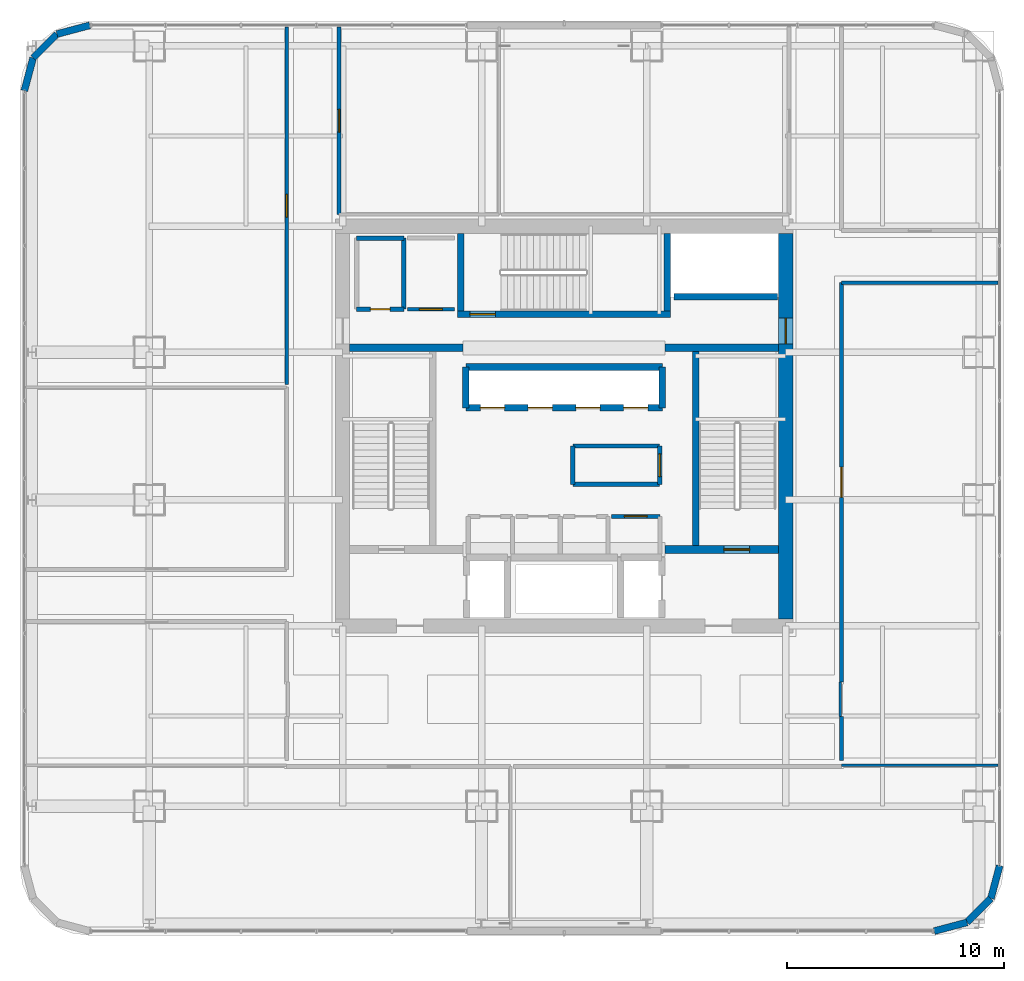
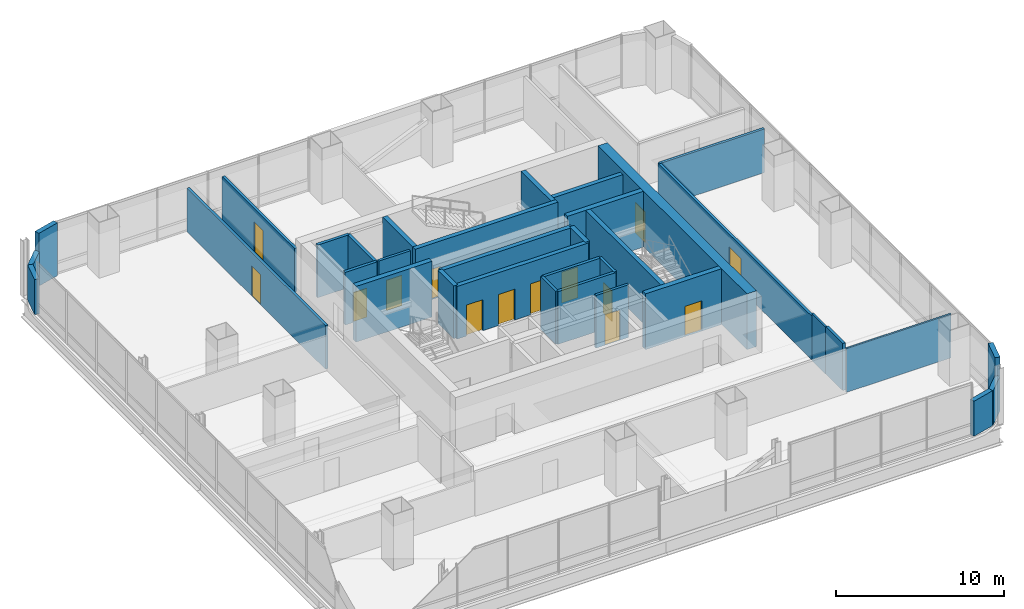
# One storey, part 29 of 38: 35 walls, 14 doors, 14 openings.
"""IFC4 building model written with IfcOpenShell, lengths in metres."""

from ifc_helpers import new_model, si_unit, direction, frame, frame_2d, origin, place, context, subcontext, project, spatial, rectangle, extrude, material, layer, layer_set, type_object, element, fill, save


model = new_model("IFC4")

# Units and contexts
model_context = context("Model", 3, precision=1e-05, world=origin(), true_north=direction((0.0, 1.0)))
body_context = subcontext(model_context, "Body", "Model", "MODEL_VIEW")
ifc_project = project(units=[si_unit("LENGTHUNIT", "METRE"), si_unit("AREAUNIT", "SQUARE_METRE"), si_unit("VOLUMEUNIT", "CUBIC_METRE"), si_unit("PLANEANGLEUNIT", "RADIAN"), si_unit("MASSUNIT", "GRAM", prefix="KILO")], contexts=[model_context])

# Site, building, storey
site_placement = place(None, origin())
site = spatial("IfcSite", under=ifc_project, at=site_placement, CompositionType="ELEMENT")
building_placement = place(site_placement, origin())
building = spatial("IfcBuilding", under=site, at=building_placement, Name="Punatoya Terracotta Tower", CompositionType="ELEMENT")
storey_placement = place(building_placement, frame((0.0, 0.0, 188.39990234375)))
storey = spatial("IfcBuildingStorey", under=building, at=storey_placement, Name="L44", CompositionType="ELEMENT", Elevation=188.39990234375)

# Wall, opening, door
ifc_material_1 = material(Name="Concrete C60/75", Category="concrete")
ifc_layer_1 = layer(ifc_material_1, 0.64990234375)
ifc_layer_set_1 = layer_set([ifc_layer_1], Name="Concrete C60/75")
wall_type_1 = type_object("IfcWallType", Name="WL-COR-650", PredefinedType="SHEAR", material=ifc_layer_set_1)
wall_1_placement = place(storey_placement, frame((10.199951171875, 8.875, 0.0), z_axis=(0.0, 0.0, 1.0), x_axis=(0.0, -1.0, 0.0)))
wall_1 = element("IfcWall", 1, at=wall_1_placement, inside=storey, type_object=wall_type_1, Name="L44 Core Shear Wall E", PredefinedType="SHEAR", context=body_context, shape_type="SweptSolid", body=[
    extrude(rectangle(XDim=17.75, YDim=0.64990234375, at=frame_2d((8.875, 0.0))), origin(), (0.0, 0.0, 1.0), 4.050048828125),
])
opening_1_placement = place(wall_1_placement, frame((3.905029296875, 0.0, 0.0)))
opening_1 = element("IfcOpeningElement", 2, at=opening_1_placement, cuts=wall_1, Name="Opening SD-01", PredefinedType="OPENING", context=body_context, shape_type="SweptSolid", body=[
    extrude(rectangle(XDim=1.179931640625, YDim=2.199951171875, at=frame_2d((0.58984375, 1.10009765625))), frame((0.0, 0.3349609375, 0.0), z_axis=(0.0, -1.0, 0.0), x_axis=(1.0, 0.0, 0.0)), (0.0, 0.0, 1.0), 0.669921875),
])
ifc_material_2 = material(Name="Galvanised Steel Pressurized Stair Fire Door", Category="steel")
door_type_1 = type_object("IfcDoorType", Name="DR-STR-1180", OperationType="NOTDEFINED", PredefinedType="DOOR", material=ifc_material_2)
door_1_placement = place(opening_1_placement, origin())
door_1 = element("IfcDoor", 3, at=door_1_placement, inside=storey, type_object=door_type_1, Name="L44 Central Lift Lobby East Fire Door", OperationType="SINGLE_SWING_RIGHT", OverallHeight=2.199951171875, OverallWidth=1.179931640625, PredefinedType="DOOR", context=body_context, shape_type="SweptSolid", body=[
    extrude(rectangle(XDim=1.179931640625, YDim=2.199951171875, at=frame_2d((0.58984375, 1.10009765625))), frame((0.0, 0.02490234375, 0.0), z_axis=(0.0, -1.0, 0.0), x_axis=(1.0, 0.0, 0.0)), (0.0, 0.0, 1.0), 0.050048828125),
])
fill(opening_1, door_1)

ifc_material_3 = material(Name="Gypsum Fireboard + Steel Stud", Category="steel")
ifc_layer_2 = layer(ifc_material_3, 0.179931640625)
ifc_layer_set_2 = layer_set([ifc_layer_2], Name="Gypsum Fireboard + Steel Stud")
wall_type_2 = type_object("IfcWallType", Name="WL-CORR-180", PredefinedType="PARTITIONING", material=ifc_layer_set_2)
wall_2_placement = place(storey_placement, frame((4.419921875, -4.159912109375, 0.0), z_axis=(0.0, 0.0, 1.0), x_axis=(-1.0, 0.0, 0.0)))
wall_2 = element("IfcWall", 4, at=wall_2_placement, inside=storey, type_object=wall_type_2, Name="L44 Core Reprographics Studio Partition 09", PredefinedType="PARTITIONING", context=body_context, shape_type="SweptSolid", body=[
    extrude(rectangle(XDim=2.239990234375, YDim=0.179931640625, at=frame_2d((1.1201171875, 0.0))), origin(), (0.0, 0.0, 1.0), 3.830078125),
])
opening_2_placement = place(wall_2_placement, frame((0.594970703125, 0.0, 0.0)))
opening_2 = element("IfcOpeningElement", 5, at=opening_2_placement, cuts=wall_2, Name="Opening OD-01", PredefinedType="OPENING", context=body_context, shape_type="SweptSolid", body=[
    extrude(rectangle(XDim=1.050048828125, YDim=2.199951171875, at=frame_2d((0.52490234375, 1.10009765625))), frame((0.0, 0.099853515625, 0.0), z_axis=(0.0, -1.0, 0.0), x_axis=(1.0, 0.0, 0.0)), (0.0, 0.0, 1.0), 0.199951171875),
])
ifc_material_4 = material(Name="Bengal Teak Solid-Core Leaf")
door_type_2 = type_object("IfcDoorType", Name="DR-OFF-1050", OperationType="NOTDEFINED", PredefinedType="DOOR", material=ifc_material_4)
door_2_placement = place(opening_2_placement, origin())
door_2 = element("IfcDoor", 6, at=door_2_placement, inside=storey, type_object=door_type_2, Name="L44 Reprographics Studio Door", OperationType="SINGLE_SWING_LEFT", OverallHeight=2.199951171875, OverallWidth=1.050048828125, PredefinedType="DOOR", context=body_context, shape_type="SweptSolid", body=[
    extrude(rectangle(XDim=1.050048828125, YDim=2.199951171875, at=frame_2d((0.52490234375, 1.10009765625))), frame((0.0, 0.02490234375, 0.0), z_axis=(0.0, -1.0, 0.0), x_axis=(1.0, 0.0, 0.0)), (0.0, 0.0, 1.0), 0.050048828125),
])
fill(opening_2, door_2)

wall_3_placement = place(storey_placement, frame((-7.219970703125, 5.3798828125, 0.0), z_axis=(0.0, 0.0, 1.0), x_axis=(1.0, 0.0, 0.0)))
wall_3 = element("IfcWall", 7, at=wall_3_placement, inside=storey, type_object=wall_type_2, Name="L44 West Core Print Room Partition 19", PredefinedType="PARTITIONING", context=body_context, shape_type="SweptSolid", body=[
    extrude(rectangle(XDim=2.169921875, YDim=0.179931640625, at=frame_2d((1.0849609375, 0.0))), origin(), (0.0, 0.0, 1.0), 3.830078125),
])
opening_3_placement = place(wall_3_placement, frame((0.56005859375, 0.0, 0.0)))
opening_3 = element("IfcOpeningElement", 8, at=opening_3_placement, cuts=wall_3, Name="Opening OD-01", PredefinedType="OPENING", context=body_context, shape_type="SweptSolid", body=[
    extrude(rectangle(XDim=1.050048828125, YDim=2.199951171875, at=frame_2d((0.52490234375, 1.10009765625))), frame((0.0, 0.099853515625, 0.0), z_axis=(0.0, -1.0, 0.0), x_axis=(1.0, 0.0, 0.0)), (0.0, 0.0, 1.0), 0.199951171875),
])
door_3_placement = place(opening_3_placement, origin())
door_3 = element("IfcDoor", 9, at=door_3_placement, inside=storey, type_object=door_type_2, Name="L44 West Print Room Door", OperationType="SINGLE_SWING_RIGHT", OverallHeight=2.199951171875, OverallWidth=1.050048828125, PredefinedType="DOOR", context=body_context, shape_type="SweptSolid", body=[
    extrude(rectangle(XDim=1.050048828125, YDim=2.199951171875, at=frame_2d((0.52490234375, 1.10009765625))), frame((0.0, 0.02490234375, 0.0), z_axis=(0.0, -1.0, 0.0), x_axis=(1.0, 0.0, 0.0)), (0.0, 0.0, 1.0), 0.050048828125),
])
fill(opening_3, door_3)

wall_4_placement = place(storey_placement, frame((12.77001953125, -11.77001953125, 0.0), z_axis=(0.0, 0.0, 1.0), x_axis=(0.0, 1.0, 0.0)))
wall_4 = element("IfcWall", 10, at=wall_4_placement, inside=storey, type_object=wall_type_2, Name="L44 Client Strategy Boardroom Partition 30", PredefinedType="PARTITIONING", context=body_context, shape_type="SweptSolid", body=[
    extrude(rectangle(XDim=18.3701171875, YDim=0.179931640625, at=frame_2d((9.18505859375, 0.0))), origin(), (0.0, 0.0, 1.0), 3.174072265625),
])
opening_4_placement = place(wall_4_placement, frame((8.485107421875, 0.0, 0.0)))
opening_4 = element("IfcOpeningElement", 11, at=opening_4_placement, cuts=wall_4, Name="Opening BD-01", PredefinedType="OPENING", context=body_context, shape_type="SweptSolid", body=[
    extrude(rectangle(XDim=1.39990234375, YDim=2.25, at=frame_2d((0.699951171875, 1.125))), frame((0.0, 0.099853515625, 0.0), z_axis=(0.0, -1.0, 0.0), x_axis=(1.0, 0.0, 0.0)), (0.0, 0.0, 1.0), 0.199951171875),
])
ifc_material_5 = material(Name="Bengal Teak Acoustic Leaf")
door_type_3 = type_object("IfcDoorType", Name="DR-BRD-1400", OperationType="NOTDEFINED", PredefinedType="DOOR", material=ifc_material_5)
door_4_placement = place(opening_4_placement, origin())
door_4 = element("IfcDoor", 12, at=door_4_placement, inside=storey, type_object=door_type_3, Name="L44 Client Strategy Boardroom Door", OperationType="SINGLE_SWING_RIGHT", OverallHeight=2.25, OverallWidth=1.39990234375, PredefinedType="DOOR", context=body_context, shape_type="SweptSolid", body=[
    extrude(rectangle(XDim=1.39990234375, YDim=2.25, at=frame_2d((0.699951171875, 1.125))), frame((0.0, 0.02490234375, 0.0), z_axis=(0.0, -1.0, 0.0), x_axis=(1.0, 0.0, 0.0)), (0.0, 0.0, 1.0), 0.050048828125),
])
fill(opening_4, door_4)

# Walls
wall_5_placement = place(storey_placement, frame((12.77001953125, 6.60009765625, 0.0), z_axis=(0.0, 0.0, 1.0), x_axis=(1.0, 0.0, 0.0)))
element("IfcWall", 13, at=wall_5_placement, inside=storey, type_object=wall_type_2, Name="L44 Client Strategy Boardroom Partition 31", PredefinedType="PARTITIONING", context=body_context, shape_type="SweptSolid", body=[
    extrude(rectangle(XDim=7.199951171875, YDim=0.179931640625, at=frame_2d((3.60009765625, 0.0))), origin(), (0.0, 0.0, 1.0), 3.174072265625),
])
wall_6_placement = place(storey_placement, frame((12.77001953125, -15.389892578125, 0.0), z_axis=(0.0, 0.0, 1.0), x_axis=(0.0, 1.0, 0.0)))
element("IfcWall", 14, at=wall_6_placement, inside=storey, type_object=wall_type_2, Name="L44 Client Strategy Boardroom Partition 32", PredefinedType="PARTITIONING", context=body_context, shape_type="SweptSolid", body=[
    extrude(rectangle(XDim=2.010009765625, YDim=0.179931640625, at=frame_2d((1.0048828125, 0.0))), origin(), (0.0, 0.0, 1.0), 3.424072265625),
])

# Wall, opening, door
wall_7_placement = place(storey_placement, frame((-12.77001953125, 18.3701171875, 0.0), z_axis=(0.0, 0.0, 1.0), x_axis=(0.0, -1.0, 0.0)))
wall_7 = element("IfcWall", 15, at=wall_7_placement, inside=storey, type_object=wall_type_2, Name="L44 Staff Tea Pantry Partition 36", PredefinedType="PARTITIONING", context=body_context, shape_type="SweptSolid", body=[
    extrude(rectangle(XDim=16.460205078125, YDim=0.179931640625, at=frame_2d((8.22998046875, 0.0))), origin(), (0.0, 0.0, 1.0), 3.174072265625),
])
opening_5_placement = place(wall_7_placement, frame((7.705078125, 0.0, 0.0)))
opening_5 = element("IfcOpeningElement", 16, at=opening_5_placement, cuts=wall_7, Name="Opening OD-01", PredefinedType="OPENING", context=body_context, shape_type="SweptSolid", body=[
    extrude(rectangle(XDim=1.050048828125, YDim=2.199951171875, at=frame_2d((0.52490234375, 1.10009765625))), frame((0.0, 0.099853515625, 0.0), z_axis=(0.0, -1.0, 0.0), x_axis=(1.0, 0.0, 0.0)), (0.0, 0.0, 1.0), 0.199951171875),
])
door_5_placement = place(opening_5_placement, origin())
door_5 = element("IfcDoor", 17, at=door_5_placement, inside=storey, type_object=door_type_2, Name="L44 Staff Tea Pantry Door", OperationType="SINGLE_SWING_RIGHT", OverallHeight=2.199951171875, OverallWidth=1.050048828125, PredefinedType="DOOR", context=body_context, shape_type="SweptSolid", body=[
    extrude(rectangle(XDim=1.050048828125, YDim=2.199951171875, at=frame_2d((0.52490234375, 1.10009765625))), frame((0.0, 0.02490234375, 0.0), z_axis=(0.0, -1.0, 0.0), x_axis=(1.0, 0.0, 0.0)), (0.0, 0.0, 1.0), 0.050048828125),
])
fill(opening_5, door_5)

wall_8_placement = place(storey_placement, frame((-10.360107421875, 9.739990234375, 0.0), z_axis=(0.0, 0.0, 1.0), x_axis=(0.0, 1.0, 0.0)))
wall_8 = element("IfcWall", 18, at=wall_8_placement, inside=storey, type_object=wall_type_2, Name="L44 Open-Plan Systems Engineering Office Partition 41", PredefinedType="PARTITIONING", context=body_context, shape_type="SweptSolid", body=[
    extrude(rectangle(XDim=8.630126953125, YDim=0.179931640625, at=frame_2d((4.31494140625, 0.0))), origin(), (0.0, 0.0, 1.0), 3.174072265625),
])
opening_6_placement = place(wall_8_placement, frame((3.7900390625, 0.0, 0.0)))
opening_6 = element("IfcOpeningElement", 19, at=opening_6_placement, cuts=wall_8, Name="Opening OD-01", PredefinedType="OPENING", context=body_context, shape_type="SweptSolid", body=[
    extrude(rectangle(XDim=1.050048828125, YDim=2.199951171875, at=frame_2d((0.52490234375, 1.10009765625))), frame((0.0, 0.099853515625, 0.0), z_axis=(0.0, -1.0, 0.0), x_axis=(1.0, 0.0, 0.0)), (0.0, 0.0, 1.0), 0.199951171875),
])
door_6_placement = place(opening_6_placement, origin())
door_6 = element("IfcDoor", 20, at=door_6_placement, inside=storey, type_object=door_type_2, Name="L44 Open-Plan Systems Engineering Office Door", OperationType="SINGLE_SWING_RIGHT", OverallHeight=2.199951171875, OverallWidth=1.050048828125, PredefinedType="DOOR", context=body_context, shape_type="SweptSolid", body=[
    extrude(rectangle(XDim=1.050048828125, YDim=2.199951171875, at=frame_2d((0.52490234375, 1.10009765625))), frame((0.0, 0.02490234375, 0.0), z_axis=(0.0, -1.0, 0.0), x_axis=(1.0, 0.0, 0.0)), (0.0, 0.0, 1.0), 0.050048828125),
])
fill(opening_6, door_6)

# Walls
ifc_material_6 = material(Name="Precast concrete C40/50", Category="concrete")
ifc_layer_3 = layer(ifc_material_6, 0.320068359375)
ifc_layer_set_3 = layer_set([ifc_layer_3], Name="Precast concrete C40/50")
wall_type_3 = type_object("IfcWallType", Name="WL-EXT-320", PredefinedType="SOLIDWALL", material=ifc_layer_set_3)
wall_9_placement = place(storey_placement, frame((17.036865234375, -23.25, 0.0), z_axis=(0.0, 0.0, 1.0), x_axis=(0.966224582397, 0.257701486942, 0.0)))
element("IfcWall", 21, at=wall_9_placement, inside=storey, type_object=wall_type_3, Name="L44 Rounded Terracotta Corner Pier 02", PredefinedType="SOLIDWALL", context=body_context, shape_type="SweptSolid", body=[
    extrude(rectangle(XDim=1.565185546875, YDim=0.320068359375, at=frame_2d((0.78271484375, 0.0))), origin(), (0.0, 0.0, 1.0), 2.544189453125),
])
wall_10_placement = place(storey_placement, frame((18.549072265625, -22.8466796875, 0.0), z_axis=(0.0, 0.0, 1.0), x_axis=(0.707028130747, 0.707185422879, 0.0)))
element("IfcWall", 22, at=wall_10_placement, inside=storey, type_object=wall_type_3, Name="L44 Rounded Terracotta Corner Pier 03", PredefinedType="SOLIDWALL", context=body_context, shape_type="SweptSolid", body=[
    extrude(rectangle(XDim=1.55224609375, YDim=0.320068359375, at=frame_2d((0.776123046875, 0.0))), origin(), (0.0, 0.0, 1.0), 2.504150390625),
])
for number, where, z_axis, x_axis, name in (
    (23, (19.646484375, -21.7490234375, 0.0), (0.0, 0.0, 1.0), (0.257847112249, 0.966185730957, 0.0), "L44 Rounded Terracotta Corner Pier 04"),
    (24, (-21.8369140625, 18.449951171875, 0.0), (0.0, 0.0, 1.0), (-0.966224582397, -0.257701486942, 0.0), "L44 Rounded Terracotta Corner Pier 10"),
):
    element("IfcWall", number, at=place(storey_placement, frame(where, z_axis=z_axis, x_axis=x_axis)), inside=storey, type_object=wall_type_3, Name=name, PredefinedType="SOLIDWALL", context=body_context, shape_type="SweptSolid", body=[
        extrude(rectangle(XDim=1.565185546875, YDim=0.320068359375, at=frame_2d((0.78271484375, 0.0))), origin(), (0.0, 0.0, 1.0), 3.830078125),
    ])
wall_11_placement = place(storey_placement, frame((-23.34912109375, 18.046630859375, 0.0), z_axis=(0.0, 0.0, 1.0), x_axis=(-0.707106781187, -0.707106781187, 0.0)))
element("IfcWall", 25, at=wall_11_placement, inside=storey, type_object=wall_type_3, Name="L44 Rounded Terracotta Corner Pier 11", PredefinedType="SOLIDWALL", context=body_context, shape_type="SweptSolid", body=[
    extrude(rectangle(XDim=1.552001953125, YDim=0.320068359375, at=frame_2d((0.77587890625, 0.0))), origin(), (0.0, 0.0, 1.0), 2.504150390625),
])
wall_12_placement = place(storey_placement, frame((-24.446533203125, 16.94921875, 0.0), z_axis=(0.0, 0.0, 1.0), x_axis=(-0.257847112249, -0.966185730957, 0.0)))
element("IfcWall", 26, at=wall_12_placement, inside=storey, type_object=wall_type_3, Name="L44 Rounded Terracotta Corner Pier 12", PredefinedType="SOLIDWALL", context=body_context, shape_type="SweptSolid", body=[
    extrude(rectangle(XDim=1.565185546875, YDim=0.320068359375, at=frame_2d((0.78271484375, 0.0))), origin(), (0.0, 0.0, 1.0), 2.544189453125),
])

# Wall, opening, door
ifc_material_7 = material(Name="Concrete C40/50", Category="concrete")
ifc_layer_4 = layer(ifc_material_7, 0.199951171875)
ifc_layer_set_4 = layer_set([ifc_layer_4], Name="Concrete C40/50")
wall_type_4 = type_object("IfcWallType", Name="WL-INT-200", PredefinedType="SOLIDWALL", material=ifc_layer_set_4)
wall_13_placement = place(storey_placement, frame((4.39990234375, -2.679931640625, 0.0), z_axis=(0.0, 0.0, 1.0), x_axis=(0.0, 1.0, 0.0)))
wall_13 = element("IfcWall", 27, at=wall_13_placement, inside=storey, type_object=wall_type_4, Name="L44 East Core Tea Pantry Partition 10", PredefinedType="SOLIDWALL", context=body_context, shape_type="SweptSolid", body=[
    extrude(rectangle(XDim=1.760009765625, YDim=0.199951171875, at=frame_2d((0.8798828125, 0.0))), origin(), (0.0, 0.0, 1.0), 3.830078125),
])
opening_7_placement = place(wall_13_placement, frame((0.35498046875, 0.0, 0.0)))
opening_7 = element("IfcOpeningElement", 28, at=opening_7_placement, cuts=wall_13, Name="Opening OD-01", PredefinedType="OPENING", context=body_context, shape_type="SweptSolid", body=[
    extrude(rectangle(XDim=1.050048828125, YDim=2.199951171875, at=frame_2d((0.52490234375, 1.10009765625))), frame((0.0, 0.10986328125, 0.0), z_axis=(0.0, -1.0, 0.0), x_axis=(1.0, 0.0, 0.0)), (0.0, 0.0, 1.0), 0.219970703125),
])
door_7_placement = place(opening_7_placement, origin())
door_7 = element("IfcDoor", 29, at=door_7_placement, inside=storey, type_object=door_type_2, Name="L44 East Tea Pantry Door", OperationType="SINGLE_SWING_RIGHT", OverallHeight=2.199951171875, OverallWidth=1.050048828125, PredefinedType="DOOR", context=body_context, shape_type="SweptSolid", body=[
    extrude(rectangle(XDim=1.050048828125, YDim=2.199951171875, at=frame_2d((0.52490234375, 1.10009765625))), frame((0.0, 0.02490234375, 0.0), z_axis=(0.0, -1.0, 0.0), x_axis=(1.0, 0.0, 0.0)), (0.0, 0.0, 1.0), 0.050048828125),
])
fill(opening_7, door_7)

# Walls
wall_14_placement = place(storey_placement, frame((4.39990234375, -0.919921875, 0.0), z_axis=(0.0, 0.0, 1.0), x_axis=(-1.0, 0.0, 0.0)))
element("IfcWall", 30, at=wall_14_placement, inside=storey, type_object=wall_type_4, Name="L44 East Core Tea Pantry Partition 11", PredefinedType="SOLIDWALL", context=body_context, shape_type="SweptSolid", body=[
    extrude(rectangle(XDim=4.0, YDim=0.199951171875, at=frame_2d((2.0, 0.0))), origin(), (0.0, 0.0, 1.0), 3.830078125),
])
wall_15_placement = place(storey_placement, frame((0.39990234375, -0.919921875, 0.0), z_axis=(0.0, 0.0, 1.0), x_axis=(0.0, -1.0, 0.0)))
element("IfcWall", 31, at=wall_15_placement, inside=storey, type_object=wall_type_4, Name="L44 East Core Tea Pantry Partition 12", PredefinedType="SOLIDWALL", context=body_context, shape_type="SweptSolid", body=[
    extrude(rectangle(XDim=1.760009765625, YDim=0.199951171875, at=frame_2d((0.8798828125, 0.0))), origin(), (0.0, 0.0, 1.0), 3.830078125),
])
wall_16_placement = place(storey_placement, frame((0.39990234375, -2.679931640625, 0.0), z_axis=(0.0, 0.0, 1.0), x_axis=(1.0, 0.0, 0.0)))
element("IfcWall", 32, at=wall_16_placement, inside=storey, type_object=wall_type_4, Name="L44 East Core Tea Pantry Partition 13", PredefinedType="SOLIDWALL", context=body_context, shape_type="SweptSolid", body=[
    extrude(rectangle(XDim=4.0, YDim=0.199951171875, at=frame_2d((2.0, 0.0))), origin(), (0.0, 0.0, 1.0), 3.830078125),
])
wall_17_placement = place(storey_placement, frame((-7.3798828125, 5.3798828125, 0.0), z_axis=(0.0, 0.0, 1.0), x_axis=(0.0, 1.0, 0.0)))
element("IfcWall", 33, at=wall_17_placement, inside=storey, type_object=wall_type_4, Name="L44 West Core Archive Vault Partition 14", PredefinedType="SOLIDWALL", context=body_context, shape_type="SweptSolid", body=[
    extrude(rectangle(XDim=3.27001953125, YDim=0.199951171875, at=frame_2d((1.635009765625, 0.0))), origin(), (0.0, 0.0, 1.0), 3.830078125),
])
wall_18_placement = place(storey_placement, frame((-7.3798828125, 8.64990234375, 0.0), z_axis=(0.0, 0.0, 1.0), x_axis=(-1.0, 0.0, 0.0)))
element("IfcWall", 34, at=wall_18_placement, inside=storey, type_object=wall_type_4, Name="L44 West Core Archive Vault Partition 15", PredefinedType="SOLIDWALL", context=body_context, shape_type="SweptSolid", body=[
    extrude(rectangle(XDim=2.170166015625, YDim=0.199951171875, at=frame_2d((1.0849609375, 0.0))), origin(), (0.0, 0.0, 1.0), 3.830078125),
])

# Wall, opening, door
wall_19_placement = place(storey_placement, frame((-9.550048828125, 5.3798828125, 0.0), z_axis=(0.0, 0.0, 1.0), x_axis=(1.0, 0.0, 0.0)))
wall_19 = element("IfcWall", 35, at=wall_19_placement, inside=storey, type_object=wall_type_4, Name="L44 West Core Archive Vault Partition 17", PredefinedType="SOLIDWALL", context=body_context, shape_type="SweptSolid", body=[
    extrude(rectangle(XDim=2.170166015625, YDim=0.199951171875, at=frame_2d((1.0849609375, 0.0))), origin(), (0.0, 0.0, 1.0), 3.830078125),
])
opening_8_placement = place(wall_19_placement, frame((0.625, 0.0, 0.0)))
opening_8 = element("IfcOpeningElement", 36, at=opening_8_placement, cuts=wall_19, Name="Opening FD-R1", PredefinedType="OPENING", context=body_context, shape_type="SweptSolid", body=[
    extrude(rectangle(XDim=0.919921875, YDim=2.10009765625, at=frame_2d((0.4599609375, 1.050048828125))), frame((0.0, 0.10986328125, 0.0), z_axis=(0.0, -1.0, 0.0), x_axis=(1.0, 0.0, 0.0)), (0.0, 0.0, 1.0), 0.219970703125),
])
ifc_material_8 = material(Name="Galvanised Steel Riser Fire Access Door", Category="steel")
door_type_4 = type_object("IfcDoorType", Name="DR-RSR-920", OperationType="NOTDEFINED", PredefinedType="DOOR", material=ifc_material_8)
door_8_placement = place(opening_8_placement, origin())
door_8 = element("IfcDoor", 37, at=door_8_placement, inside=storey, type_object=door_type_4, Name="L44 West Core Archive Vault Fire Door", OperationType="SINGLE_SWING_LEFT", OverallHeight=2.10009765625, OverallWidth=0.919921875, PredefinedType="DOOR", context=body_context, shape_type="SweptSolid", body=[
    extrude(rectangle(XDim=0.919921875, YDim=2.10009765625, at=frame_2d((0.4599609375, 1.050048828125))), frame((0.0, 0.02490234375, 0.0), z_axis=(0.0, -1.0, 0.0), x_axis=(1.0, 0.0, 0.0)), (0.0, 0.0, 1.0), 0.050048828125),
])
fill(opening_8, door_8)

# Walls
ifc_material_9 = material(Name="Gypsum Partition + Steel Stud", Category="steel")
ifc_layer_5 = layer(ifc_material_9, 0.1201171875)
ifc_layer_set_5 = layer_set([ifc_layer_5], Name="Gypsum Partition + Steel Stud")
wall_type_5 = type_object("IfcWallType", Name="WL-OFF-120", PredefinedType="PARTITIONING", material=ifc_layer_set_5)
wall_20_placement = place(storey_placement, frame((12.77001953125, -15.610107421875, 0.0), z_axis=(0.0, 0.0, 1.0), x_axis=(1.0, 0.0, 0.0)))
element("IfcWall", 38, at=wall_20_placement, inside=storey, type_object=wall_type_5, Name="L44 Analytical Practice Office Partition 23", PredefinedType="PARTITIONING", context=body_context, shape_type="SweptSolid", body=[
    extrude(rectangle(XDim=7.199951171875, YDim=0.1201171875, at=frame_2d((3.60009765625, 0.0))), origin(), (0.0, 0.0, 1.0), 3.174072265625),
])
wall_21_placement = place(storey_placement, frame((12.7099609375, -13.3798828125, 0.0), z_axis=(0.0, 0.0, 1.0), x_axis=(0.0, 1.0, 0.0)))
element("IfcWall", 39, at=wall_21_placement, inside=storey, type_object=wall_type_5, Name="L44 Client Strategy Boardroom Partition 29", PredefinedType="PARTITIONING", context=body_context, shape_type="SweptSolid", body=[
    extrude(rectangle(XDim=1.60986328125, YDim=0.1201171875, at=frame_2d((0.804931640625, 0.0))), origin(), (0.0, 0.0, 1.0), 3.424072265625),
])
ifc_layer_6 = layer(ifc_material_7, 0.300048828125)
ifc_layer_set_6 = layer_set([ifc_layer_6], Name="Concrete C40/50")
wall_type_6 = type_object("IfcWallType", Name="WL-SHF-300", PredefinedType="SOLIDWALL", material=ifc_layer_set_6)
wall_22_placement = place(storey_placement, frame((6.050048828125, 3.449951171875, 0.0), z_axis=(0.0, 0.0, 1.0), x_axis=(0.0, -1.0, 0.0)))
element("IfcWall", 40, at=wall_22_placement, inside=storey, type_object=wall_type_6, Name="L44 Structural Stair Shaft Wall SW-ST2-W", PredefinedType="SOLIDWALL", context=body_context, shape_type="SweptSolid", body=[
    extrude(rectangle(XDim=8.949951171875, YDim=0.300048828125, at=frame_2d((4.47509765625, 0.0))), origin(), (0.0, 0.0, 1.0), 4.050048828125),
])
for number, where, z_axis, x_axis, name in (
    (41, (-4.75, 5.300048828125, 0.0), (0.0, 0.0, 1.0), (0.0, 1.0, 0.0), "L44 Structural Stair Shaft Wall SW-ST3-W"),
    (42, (4.75, 8.875, 0.0), (0.0, 0.0, 1.0), (0.0, -1.0, 0.0), "L44 Structural Stair Shaft Wall SW-ST3-E"),
):
    element("IfcWall", number, at=place(storey_placement, frame(where, z_axis=z_axis, x_axis=x_axis)), inside=storey, type_object=wall_type_6, Name=name, PredefinedType="SOLIDWALL", context=body_context, shape_type="SweptSolid", body=[
        extrude(rectangle(XDim=3.574951171875, YDim=0.300048828125, at=frame_2d((1.78759765625, 0.0))), origin(), (0.0, 0.0, 1.0), 4.050048828125),
    ])

# Wall, opening, door
wall_23_placement = place(storey_placement, frame((-4.89990234375, 5.14990234375, 0.0), z_axis=(0.0, 0.0, 1.0), x_axis=(1.0, 0.0, 0.0)))
wall_23 = element("IfcWall", 43, at=wall_23_placement, inside=storey, type_object=wall_type_6, Name="L44 Structural Stair Shaft Wall SW-ST3-S", PredefinedType="SOLIDWALL", context=body_context, shape_type="SweptSolid", body=[
    extrude(rectangle(XDim=9.7998046875, YDim=0.300048828125, at=frame_2d((4.89990234375, 0.0))), origin(), (0.0, 0.0, 1.0), 4.050048828125),
])
opening_9_placement = place(wall_23_placement, frame((0.56005859375, 0.0, 0.0)))
opening_9 = element("IfcOpeningElement", 44, at=opening_9_placement, cuts=wall_23, Name="Opening SD-01", PredefinedType="OPENING", context=body_context, shape_type="SweptSolid", body=[
    extrude(rectangle(XDim=1.179931640625, YDim=2.199951171875, at=frame_2d((0.58984375, 1.10009765625))), frame((0.0, 0.159912109375, 0.0), z_axis=(0.0, -1.0, 0.0), x_axis=(1.0, 0.0, 0.0)), (0.0, 0.0, 1.0), 0.320068359375),
])
door_9_placement = place(opening_9_placement, origin())
door_9 = element("IfcDoor", 45, at=door_9_placement, inside=storey, type_object=door_type_1, Name="L44 Stair ST-3 Core Lobby Fire Door", OperationType="SINGLE_SWING_LEFT", OverallHeight=2.199951171875, OverallWidth=1.179931640625, PredefinedType="DOOR", context=body_context, shape_type="SweptSolid", body=[
    extrude(rectangle(XDim=1.179931640625, YDim=2.199951171875, at=frame_2d((0.58984375, 1.10009765625))), frame((0.0, 0.02490234375, 0.0), z_axis=(0.0, -1.0, 0.0), x_axis=(1.0, 0.0, 0.0)), (0.0, 0.0, 1.0), 0.050048828125),
])
fill(opening_9, door_9)

# Wall, openings, doors
wall_24_placement = place(storey_placement, frame((-4.52001953125, 0.840087890625, 0.0), z_axis=(0.0, 0.0, 1.0), x_axis=(1.0, 0.0, 0.0)))
wall_24 = element("IfcWall", 46, at=wall_24_placement, inside=storey, type_object=wall_type_6, Name="L44 North Lift Bank Front Shaft Wall", PredefinedType="SOLIDWALL", context=body_context, shape_type="SweptSolid", body=[
    extrude(rectangle(XDim=9.0400390625, YDim=0.300048828125, at=frame_2d((4.52001953125, 0.0))), origin(), (0.0, 0.0, 1.0), 3.830078125),
])
opening_10_placement = place(wall_24_placement, frame((0.659912109375, 0.0, 0.0)))
opening_10 = element("IfcOpeningElement", 47, at=opening_10_placement, cuts=wall_24, Name="Opening LD-02", PredefinedType="OPENING", context=body_context, shape_type="SweptSolid", body=[
    extrude(rectangle(XDim=1.1201171875, YDim=2.25, at=frame_2d((0.56005859375, 1.125))), frame((0.0, 0.159912109375, 0.0), z_axis=(0.0, -1.0, 0.0), x_axis=(1.0, 0.0, 0.0)), (0.0, 0.0, 1.0), 0.320068359375),
])
opening_11_placement = place(wall_24_placement, frame((2.860107421875, 0.0, 0.0)))
opening_11 = element("IfcOpeningElement", 48, at=opening_11_placement, cuts=wall_24, Name="Opening LD-02", PredefinedType="OPENING", context=body_context, shape_type="SweptSolid", body=[
    extrude(rectangle(XDim=1.1201171875, YDim=2.25, at=frame_2d((0.56005859375, 1.125))), frame((0.0, 0.159912109375, 0.0), z_axis=(0.0, -1.0, 0.0), x_axis=(1.0, 0.0, 0.0)), (0.0, 0.0, 1.0), 0.320068359375),
])
opening_12_placement = place(wall_24_placement, frame((5.06005859375, 0.0, 0.0)))
opening_12 = element("IfcOpeningElement", 49, at=opening_12_placement, cuts=wall_24, Name="Opening LD-02", PredefinedType="OPENING", context=body_context, shape_type="SweptSolid", body=[
    extrude(rectangle(XDim=1.1201171875, YDim=2.25, at=frame_2d((0.56005859375, 1.125))), frame((0.0, 0.159912109375, 0.0), z_axis=(0.0, -1.0, 0.0), x_axis=(1.0, 0.0, 0.0)), (0.0, 0.0, 1.0), 0.320068359375),
])
opening_13_placement = place(wall_24_placement, frame((7.260009765625, 0.0, 0.0)))
opening_13 = element("IfcOpeningElement", 50, at=opening_13_placement, cuts=wall_24, Name="Opening LD-02", PredefinedType="OPENING", context=body_context, shape_type="SweptSolid", body=[
    extrude(rectangle(XDim=1.1201171875, YDim=2.25, at=frame_2d((0.56005859375, 1.125))), frame((0.0, 0.159912109375, 0.0), z_axis=(0.0, -1.0, 0.0), x_axis=(1.0, 0.0, 0.0)), (0.0, 0.0, 1.0), 0.320068359375),
])
ifc_material_10 = material(Name="Stainless Steel Lift Landing Door", Category="steel")
door_type_5 = type_object("IfcDoorType", Name="DR-LND-1120", OperationType="NOTDEFINED", PredefinedType="DOOR", material=ifc_material_10)
door_10_placement = place(opening_10_placement, origin())
door_10 = element("IfcDoor", 51, at=door_10_placement, inside=storey, type_object=door_type_5, Name="L44 Lift PL-M1 Sliding Landing Door", OperationType="DOUBLE_DOOR_SLIDING", OverallHeight=2.25, OverallWidth=1.1201171875, PredefinedType="DOOR", context=body_context, shape_type="SweptSolid", body=[
    extrude(rectangle(XDim=1.1201171875, YDim=2.25, at=frame_2d((0.56005859375, 1.125))), frame((0.0, 0.02490234375, 0.0), z_axis=(0.0, -1.0, 0.0), x_axis=(1.0, 0.0, 0.0)), (0.0, 0.0, 1.0), 0.050048828125),
])
fill(opening_10, door_10)
door_11_placement = place(opening_11_placement, origin())
door_11 = element("IfcDoor", 52, at=door_11_placement, inside=storey, type_object=door_type_5, Name="L44 Lift PL-M2 Sliding Landing Door", OperationType="DOUBLE_DOOR_SLIDING", OverallHeight=2.25, OverallWidth=1.1201171875, PredefinedType="DOOR", context=body_context, shape_type="SweptSolid", body=[
    extrude(rectangle(XDim=1.1201171875, YDim=2.25, at=frame_2d((0.56005859375, 1.125))), frame((0.0, 0.02490234375, 0.0), z_axis=(0.0, -1.0, 0.0), x_axis=(1.0, 0.0, 0.0)), (0.0, 0.0, 1.0), 0.050048828125),
])
fill(opening_11, door_11)
door_12_placement = place(opening_12_placement, origin())
door_12 = element("IfcDoor", 53, at=door_12_placement, inside=storey, type_object=door_type_5, Name="L44 Lift PL-M3 Sliding Landing Door", OperationType="DOUBLE_DOOR_SLIDING", OverallHeight=2.25, OverallWidth=1.1201171875, PredefinedType="DOOR", context=body_context, shape_type="SweptSolid", body=[
    extrude(rectangle(XDim=1.1201171875, YDim=2.25, at=frame_2d((0.56005859375, 1.125))), frame((0.0, 0.02490234375, 0.0), z_axis=(0.0, -1.0, 0.0), x_axis=(1.0, 0.0, 0.0)), (0.0, 0.0, 1.0), 0.050048828125),
])
fill(opening_12, door_12)
door_13_placement = place(opening_13_placement, origin())
door_13 = element("IfcDoor", 54, at=door_13_placement, inside=storey, type_object=door_type_5, Name="L44 Lift PL-M4 Sliding Landing Door", OperationType="DOUBLE_DOOR_SLIDING", OverallHeight=2.25, OverallWidth=1.1201171875, PredefinedType="DOOR", context=body_context, shape_type="SweptSolid", body=[
    extrude(rectangle(XDim=1.1201171875, YDim=2.25, at=frame_2d((0.56005859375, 1.125))), frame((0.0, 0.02490234375, 0.0), z_axis=(0.0, -1.0, 0.0), x_axis=(1.0, 0.0, 0.0)), (0.0, 0.0, 1.0), 0.050048828125),
])
fill(opening_13, door_13)

# Walls
wall_25_placement = place(storey_placement, frame((-4.52001953125, 2.719970703125, 0.0), z_axis=(0.0, 0.0, 1.0), x_axis=(1.0, 0.0, 0.0)))
element("IfcWall", 55, at=wall_25_placement, inside=storey, type_object=wall_type_6, Name="L44 North Lift Bank Rear Shaft Wall", PredefinedType="SOLIDWALL", context=body_context, shape_type="SweptSolid", body=[
    extrude(rectangle(XDim=9.0400390625, YDim=0.300048828125, at=frame_2d((4.52001953125, 0.0))), origin(), (0.0, 0.0, 1.0), 3.830078125),
])
for number, where, z_axis, x_axis, name in (
    (56, (-4.52001953125, 0.840087890625, 0.0), (0.0, 0.0, 1.0), (0.0, 1.0, 0.0), "L44 North Lift Bank West End Wall"),
    (57, (4.52001953125, 0.840087890625, 0.0), (0.0, 0.0, 1.0), (0.0, 1.0, 0.0), "L44 North Lift Bank East End Wall"),
):
    element("IfcWall", number, at=place(storey_placement, frame(where, z_axis=z_axis, x_axis=x_axis)), inside=storey, type_object=wall_type_6, Name=name, PredefinedType="SOLIDWALL", context=body_context, shape_type="SweptSolid", body=[
        extrude(rectangle(XDim=1.8798828125, YDim=0.300048828125, at=frame_2d((0.93994140625, 0.0))), origin(), (0.0, 0.0, 1.0), 3.830078125),
    ])
wall_26_placement = place(storey_placement, frame((5.06005859375, 5.949951171875, 0.0), z_axis=(0.0, 0.0, 1.0), x_axis=(1.0, 0.0, 0.0)))
element("IfcWall", 58, at=wall_26_placement, inside=storey, type_object=wall_type_6, Name="L44 Shuttle SL-2 South Hoistway Wall", PredefinedType="SOLIDWALL", context=body_context, shape_type="SweptSolid", body=[
    extrude(rectangle(XDim=4.760009765625, YDim=0.300048828125, at=frame_2d((2.3798828125, 0.0))), origin(), (0.0, 0.0, 1.0), 3.830078125),
])

# Wall, opening, door
ifc_material_11 = material(Name="Concrete C50/60", Category="concrete")
ifc_layer_7 = layer(ifc_material_11, 0.35009765625)
ifc_layer_set_7 = layer_set([ifc_layer_7], Name="Concrete C50/60")
wall_type_7 = type_object("IfcWallType", Name="WL-SHF-350", PredefinedType="SOLIDWALL", material=ifc_layer_set_7)
wall_27_placement = place(storey_placement, frame((4.64990234375, -5.679931640625, 0.0), z_axis=(0.0, 0.0, 1.0), x_axis=(1.0, 0.0, 0.0)))
wall_27 = element("IfcWall", 59, at=wall_27_placement, inside=storey, type_object=wall_type_7, Name="L44 Core Web Wall CSW-R", PredefinedType="SOLIDWALL", context=body_context, shape_type="SweptSolid", body=[
    extrude(rectangle(XDim=5.22509765625, YDim=0.35009765625, at=frame_2d((2.612548828125, 0.0))), origin(), (0.0, 0.0, 1.0), 4.050048828125),
])
opening_14_placement = place(wall_27_placement, frame((2.7099609375, 0.0, 0.0)))
opening_14 = element("IfcOpeningElement", 60, at=opening_14_placement, cuts=wall_27, Name="Opening SD-01", PredefinedType="OPENING", context=body_context, shape_type="SweptSolid", body=[
    extrude(rectangle(XDim=1.179931640625, YDim=2.199951171875, at=frame_2d((0.58984375, 1.10009765625))), frame((0.0, 0.18505859375, 0.0), z_axis=(0.0, -1.0, 0.0), x_axis=(1.0, 0.0, 0.0)), (0.0, 0.0, 1.0), 0.3701171875),
])
door_14_placement = place(opening_14_placement, origin())
door_14 = element("IfcDoor", 61, at=door_14_placement, inside=storey, type_object=door_type_1, Name="L44 Stair ST-2 Smokeproof Lobby Fire Door", OperationType="SINGLE_SWING_RIGHT", OverallHeight=2.199951171875, OverallWidth=1.179931640625, PredefinedType="DOOR", context=body_context, shape_type="SweptSolid", body=[
    extrude(rectangle(XDim=1.179931640625, YDim=2.199951171875, at=frame_2d((0.58984375, 1.10009765625))), frame((0.0, 0.02490234375, 0.0), z_axis=(0.0, -1.0, 0.0), x_axis=(1.0, 0.0, 0.0)), (0.0, 0.0, 1.0), 0.050048828125),
])
fill(opening_14, door_14)

# Walls
for number, where, z_axis, x_axis, name in (
    (62, (-9.875, 3.60009765625, 0.0), (0.0, 0.0, 1.0), (1.0, 0.0, 0.0), "L44 Core Web Wall CNW-L"),
    (63, (4.64990234375, 3.60009765625, 0.0), (0.0, 0.0, 1.0), (1.0, 0.0, 0.0), "L44 Core Web Wall CNW-R"),
):
    element("IfcWall", number, at=place(storey_placement, frame(where, z_axis=z_axis, x_axis=x_axis)), inside=storey, type_object=wall_type_7, Name=name, PredefinedType="SOLIDWALL", context=body_context, shape_type="SweptSolid", body=[
        extrude(rectangle(XDim=5.22509765625, YDim=0.35009765625, at=frame_2d((2.612548828125, 0.0))), origin(), (0.0, 0.0, 1.0), 4.050048828125),
    ])

save(model, "model.ifc")
